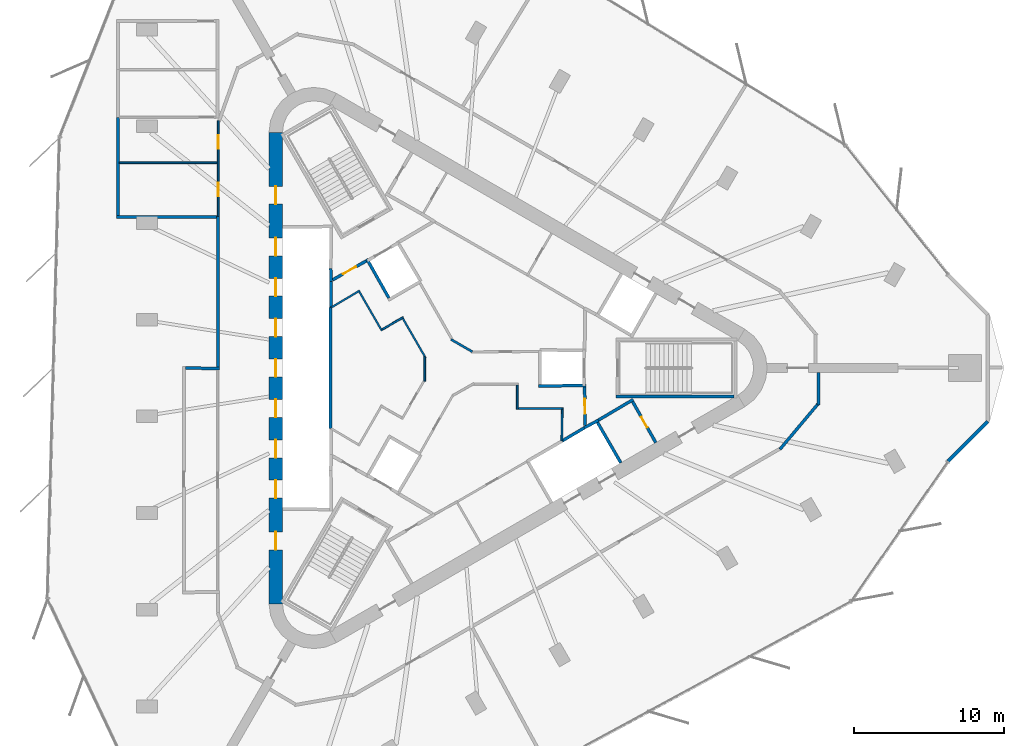
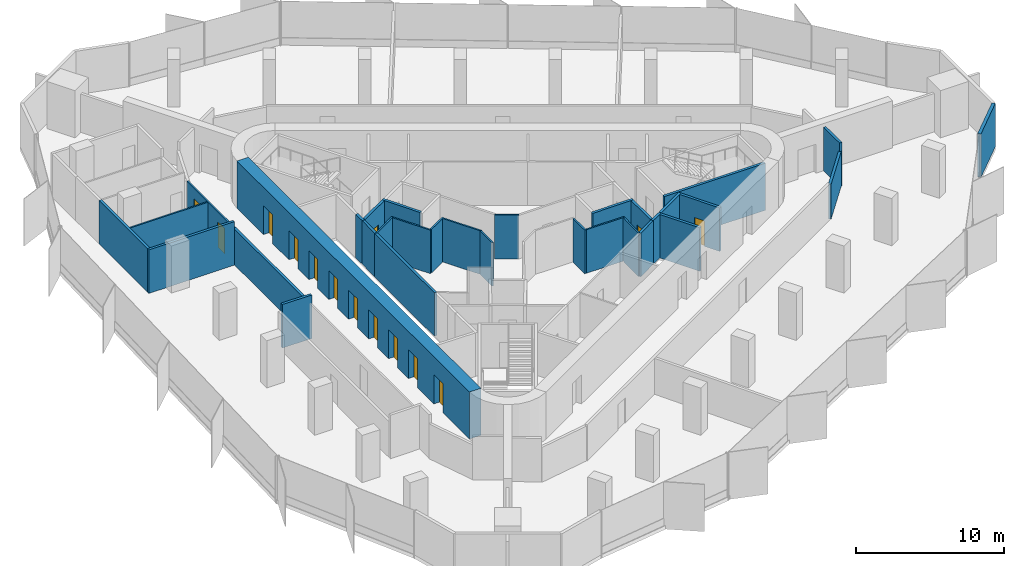
# One storey, part 9 of 13: 32 walls, 14 doors, 14 openings.
"""IFC4 building model written with IfcOpenShell, lengths in metres."""

from ifc_helpers import new_model, si_unit, direction, frame, frame_2d, origin, place, context, subcontext, project, spatial, rectangle, extrude, material, layer, layer_set, type_object, element, fill, save


model = new_model("IFC4")

# Units and contexts
model_context = context("Model", 3, precision=1e-05, world=origin(), true_north=direction((0.0, 1.0)))
body_context = subcontext(model_context, "Body", "Model", "MODEL_VIEW")
ifc_project = project(units=[si_unit("LENGTHUNIT", "METRE"), si_unit("AREAUNIT", "SQUARE_METRE"), si_unit("VOLUMEUNIT", "CUBIC_METRE"), si_unit("PLANEANGLEUNIT", "RADIAN"), si_unit("MASSUNIT", "GRAM", prefix="KILO")], contexts=[model_context])

# Site, building, storey
site_placement = place(None, origin())
site = spatial("IfcSite", under=ifc_project, at=site_placement, CompositionType="ELEMENT")
building_placement = place(site_placement, origin())
building = spatial("IfcBuilding", under=site, at=building_placement, Name="Tanit Gate Tower", CompositionType="ELEMENT")
storey_placement = place(building_placement, frame((0.0, 0.0, 322.10009765625)))
storey = spatial("IfcBuildingStorey", under=building, at=storey_placement, Name="L72", CompositionType="ELEMENT", Elevation=322.10009765625)

# Wall, openings, doors
ifc_material_1 = material(Name="Concrete C40/50", Category="concrete")
ifc_layer_1 = layer(ifc_material_1, 0.89990234375)
ifc_layer_set_1 = layer_set([ifc_layer_1], Name="CORE WALL 900 C40/50")
wall_type_1 = type_object("IfcWallType", Name="CORE WALL 900 C40/50", PredefinedType="SHEAR", material=ifc_layer_set_1)
wall_1_placement = place(storey_placement, frame((-11.64990234375, 15.76171875, 0.0), z_axis=(0.0, 0.0, 1.0), x_axis=(0.0, -1.0, 0.0)))
wall_1 = element("IfcWall", 1, at=wall_1_placement, inside=storey, type_object=wall_type_1, Name="CORE WALL", PredefinedType="SHEAR", context=body_context, shape_type="SweptSolid", body=[
    extrude(rectangle(XDim=31.5234375, YDim=0.89990234375, at=frame_2d((15.76171875, 0.0))), origin(), (0.0, 0.0, 1.0), 3.89990234375),
])
opening_1_placement = place(wall_1_placement, frame((7.061767578125, 0.0, 0.0)))
opening_1 = element("IfcOpeningElement", 2, at=opening_1_placement, cuts=wall_1, Name="Opening LDHL1-S20", PredefinedType="OPENING", context=body_context, shape_type="SweptSolid", body=[
    extrude(rectangle(XDim=1.199951171875, YDim=2.39990234375, at=frame_2d((0.60009765625, 1.199951171875))), frame((0.0, 0.4599609375, 0.0), z_axis=(0.0, -1.0, 0.0), x_axis=(1.0, 0.0, 0.0)), (0.0, 0.0, 1.0), 0.919921875),
])
opening_2_placement = place(wall_1_placement, frame((9.76171875, 0.0, 0.0)))
opening_2 = element("IfcOpeningElement", 3, at=opening_2_placement, cuts=wall_1, Name="Opening LDHL2-S20", PredefinedType="OPENING", context=body_context, shape_type="SweptSolid", body=[
    extrude(rectangle(XDim=1.199951171875, YDim=2.39990234375, at=frame_2d((0.60009765625, 1.199951171875))), frame((0.0, 0.4599609375, 0.0), z_axis=(0.0, -1.0, 0.0), x_axis=(1.0, 0.0, 0.0)), (0.0, 0.0, 1.0), 0.919921875),
])
opening_3_placement = place(wall_1_placement, frame((12.461669921875, 0.0, 0.0)))
opening_3 = element("IfcOpeningElement", 4, at=opening_3_placement, cuts=wall_1, Name="Opening LDHL3-S20", PredefinedType="OPENING", context=body_context, shape_type="SweptSolid", body=[
    extrude(rectangle(XDim=1.199951171875, YDim=2.39990234375, at=frame_2d((0.60009765625, 1.199951171875))), frame((0.0, 0.4599609375, 0.0), z_axis=(0.0, -1.0, 0.0), x_axis=(1.0, 0.0, 0.0)), (0.0, 0.0, 1.0), 0.919921875),
])
opening_4_placement = place(wall_1_placement, frame((15.16162109375, 0.0, 0.0)))
opening_4 = element("IfcOpeningElement", 5, at=opening_4_placement, cuts=wall_1, Name="Opening LDHL4-S20", PredefinedType="OPENING", context=body_context, shape_type="SweptSolid", body=[
    extrude(rectangle(XDim=1.199951171875, YDim=2.39990234375, at=frame_2d((0.60009765625, 1.199951171875))), frame((0.0, 0.4599609375, 0.0), z_axis=(0.0, -1.0, 0.0), x_axis=(1.0, 0.0, 0.0)), (0.0, 0.0, 1.0), 0.919921875),
])
opening_5_placement = place(wall_1_placement, frame((17.86181640625, 0.0, 0.0)))
opening_5 = element("IfcOpeningElement", 6, at=opening_5_placement, cuts=wall_1, Name="Opening LDHL5-S20", PredefinedType="OPENING", context=body_context, shape_type="SweptSolid", body=[
    extrude(rectangle(XDim=1.199951171875, YDim=2.39990234375, at=frame_2d((0.60009765625, 1.199951171875))), frame((0.0, 0.4599609375, 0.0), z_axis=(0.0, -1.0, 0.0), x_axis=(1.0, 0.0, 0.0)), (0.0, 0.0, 1.0), 0.919921875),
])
opening_6_placement = place(wall_1_placement, frame((20.561767578125, 0.0, 0.0)))
opening_6 = element("IfcOpeningElement", 7, at=opening_6_placement, cuts=wall_1, Name="Opening LDHL6-S20", PredefinedType="OPENING", context=body_context, shape_type="SweptSolid", body=[
    extrude(rectangle(XDim=1.199951171875, YDim=2.39990234375, at=frame_2d((0.60009765625, 1.199951171875))), frame((0.0, 0.4599609375, 0.0), z_axis=(0.0, -1.0, 0.0), x_axis=(1.0, 0.0, 0.0)), (0.0, 0.0, 1.0), 0.919921875),
])
opening_7_placement = place(wall_1_placement, frame((23.26171875, 0.0, 0.0)))
opening_7 = element("IfcOpeningElement", 8, at=opening_7_placement, cuts=wall_1, Name="Opening LDHL7-S20", PredefinedType="OPENING", context=body_context, shape_type="SweptSolid", body=[
    extrude(rectangle(XDim=1.199951171875, YDim=2.39990234375, at=frame_2d((0.60009765625, 1.199951171875))), frame((0.0, 0.4599609375, 0.0), z_axis=(0.0, -1.0, 0.0), x_axis=(1.0, 0.0, 0.0)), (0.0, 0.0, 1.0), 0.919921875),
])
opening_8_placement = place(wall_1_placement, frame((3.61181640625, 0.0, 0.0)))
opening_8 = element("IfcOpeningElement", 9, at=opening_8_placement, cuts=wall_1, Name="Opening F12-S20-FL2", PredefinedType="OPENING", context=body_context, shape_type="SweptSolid", body=[
    extrude(rectangle(XDim=1.199951171875, YDim=2.39990234375, at=frame_2d((0.60009765625, 1.199951171875))), frame((0.0, 0.4599609375, 0.0), z_axis=(0.0, -1.0, 0.0), x_axis=(1.0, 0.0, 0.0)), (0.0, 0.0, 1.0), 0.919921875),
])
opening_9_placement = place(wall_1_placement, frame((26.711669921875, 0.0, 0.0)))
opening_9 = element("IfcOpeningElement", 10, at=opening_9_placement, cuts=wall_1, Name="Opening F12-S20-S3", PredefinedType="OPENING", context=body_context, shape_type="SweptSolid", body=[
    extrude(rectangle(XDim=1.199951171875, YDim=2.39990234375, at=frame_2d((0.60009765625, 1.199951171875))), frame((0.0, 0.4599609375, 0.0), z_axis=(0.0, -1.0, 0.0), x_axis=(1.0, 0.0, 0.0)), (0.0, 0.0, 1.0), 0.919921875),
])
ifc_material_2 = material(Name="Fire-rated steel door leaf", Category="steel")
door_type_1 = type_object("IfcDoorType", Name="INT-DOOR-FIRE-LOBBY-1200", OperationType="NOTDEFINED", PredefinedType="USERDEFINED", material=ifc_material_2)
door_1_placement = place(opening_8_placement, origin())
door_1 = element("IfcDoor", 11, at=door_1_placement, inside=storey, type_object=door_type_1, Name="Door F12-S20-FL2", ObjectType="FIRE DOOR", OperationType="SINGLE_SWING_LEFT", OverallHeight=2.39990234375, OverallWidth=1.199951171875, PredefinedType="USERDEFINED", context=body_context, shape_type="SweptSolid", body=[
    extrude(rectangle(XDim=1.199951171875, YDim=2.39990234375, at=frame_2d((0.60009765625, 1.199951171875))), frame((0.0, 0.02490234375, 0.0), z_axis=(0.0, -1.0, 0.0), x_axis=(1.0, 0.0, 0.0)), (0.0, 0.0, 1.0), 0.050048828125),
])
fill(opening_8, door_1)
door_2_placement = place(opening_9_placement, origin())
door_2 = element("IfcDoor", 12, at=door_2_placement, inside=storey, type_object=door_type_1, Name="Door F12-S20-S3", ObjectType="FIRE DOOR", OperationType="SINGLE_SWING_LEFT", OverallHeight=2.39990234375, OverallWidth=1.199951171875, PredefinedType="USERDEFINED", context=body_context, shape_type="SweptSolid", body=[
    extrude(rectangle(XDim=1.199951171875, YDim=2.39990234375, at=frame_2d((0.60009765625, 1.199951171875))), frame((0.0, 0.02490234375, 0.0), z_axis=(0.0, -1.0, 0.0), x_axis=(1.0, 0.0, 0.0)), (0.0, 0.0, 1.0), 0.050048828125),
])
fill(opening_9, door_2)
ifc_material_3 = material(Name="Stainless steel sliding door leaf", Category="steel")
door_type_2 = type_object("IfcDoorType", Name="INT-DOOR-LANDING-1200", OperationType="NOTDEFINED", PredefinedType="USERDEFINED", material=ifc_material_3)
door_3_placement = place(opening_1_placement, origin())
door_3 = element("IfcDoor", 13, at=door_3_placement, inside=storey, type_object=door_type_2, Name="Door LDHL1-S20", ObjectType="LANDING DOOR", OperationType="SLIDING_TO_LEFT", OverallHeight=2.39990234375, OverallWidth=1.199951171875, PredefinedType="USERDEFINED", context=body_context, shape_type="SweptSolid", body=[
    extrude(rectangle(XDim=1.199951171875, YDim=2.39990234375, at=frame_2d((0.60009765625, 1.199951171875))), frame((0.0, 0.02490234375, 0.0), z_axis=(0.0, -1.0, 0.0), x_axis=(1.0, 0.0, 0.0)), (0.0, 0.0, 1.0), 0.050048828125),
])
fill(opening_1, door_3)
door_4_placement = place(opening_2_placement, origin())
door_4 = element("IfcDoor", 14, at=door_4_placement, inside=storey, type_object=door_type_2, Name="Door LDHL2-S20", ObjectType="LANDING DOOR", OperationType="SLIDING_TO_LEFT", OverallHeight=2.39990234375, OverallWidth=1.199951171875, PredefinedType="USERDEFINED", context=body_context, shape_type="SweptSolid", body=[
    extrude(rectangle(XDim=1.199951171875, YDim=2.39990234375, at=frame_2d((0.60009765625, 1.199951171875))), frame((0.0, 0.02490234375, 0.0), z_axis=(0.0, -1.0, 0.0), x_axis=(1.0, 0.0, 0.0)), (0.0, 0.0, 1.0), 0.050048828125),
])
fill(opening_2, door_4)
door_5_placement = place(opening_3_placement, origin())
door_5 = element("IfcDoor", 15, at=door_5_placement, inside=storey, type_object=door_type_2, Name="Door LDHL3-S20", ObjectType="LANDING DOOR", OperationType="SLIDING_TO_LEFT", OverallHeight=2.39990234375, OverallWidth=1.199951171875, PredefinedType="USERDEFINED", context=body_context, shape_type="SweptSolid", body=[
    extrude(rectangle(XDim=1.199951171875, YDim=2.39990234375, at=frame_2d((0.60009765625, 1.199951171875))), frame((0.0, 0.02490234375, 0.0), z_axis=(0.0, -1.0, 0.0), x_axis=(1.0, 0.0, 0.0)), (0.0, 0.0, 1.0), 0.050048828125),
])
fill(opening_3, door_5)
door_6_placement = place(opening_4_placement, origin())
door_6 = element("IfcDoor", 16, at=door_6_placement, inside=storey, type_object=door_type_2, Name="Door LDHL4-S20", ObjectType="LANDING DOOR", OperationType="SLIDING_TO_LEFT", OverallHeight=2.39990234375, OverallWidth=1.199951171875, PredefinedType="USERDEFINED", context=body_context, shape_type="SweptSolid", body=[
    extrude(rectangle(XDim=1.199951171875, YDim=2.39990234375, at=frame_2d((0.60009765625, 1.199951171875))), frame((0.0, 0.02490234375, 0.0), z_axis=(0.0, -1.0, 0.0), x_axis=(1.0, 0.0, 0.0)), (0.0, 0.0, 1.0), 0.050048828125),
])
fill(opening_4, door_6)
door_7_placement = place(opening_5_placement, origin())
door_7 = element("IfcDoor", 17, at=door_7_placement, inside=storey, type_object=door_type_2, Name="Door LDHL5-S20", ObjectType="LANDING DOOR", OperationType="SLIDING_TO_LEFT", OverallHeight=2.39990234375, OverallWidth=1.199951171875, PredefinedType="USERDEFINED", context=body_context, shape_type="SweptSolid", body=[
    extrude(rectangle(XDim=1.199951171875, YDim=2.39990234375, at=frame_2d((0.60009765625, 1.199951171875))), frame((0.0, 0.02490234375, 0.0), z_axis=(0.0, -1.0, 0.0), x_axis=(1.0, 0.0, 0.0)), (0.0, 0.0, 1.0), 0.050048828125),
])
fill(opening_5, door_7)
door_8_placement = place(opening_6_placement, origin())
door_8 = element("IfcDoor", 18, at=door_8_placement, inside=storey, type_object=door_type_2, Name="Door LDHL6-S20", ObjectType="LANDING DOOR", OperationType="SLIDING_TO_LEFT", OverallHeight=2.39990234375, OverallWidth=1.199951171875, PredefinedType="USERDEFINED", context=body_context, shape_type="SweptSolid", body=[
    extrude(rectangle(XDim=1.199951171875, YDim=2.39990234375, at=frame_2d((0.60009765625, 1.199951171875))), frame((0.0, 0.02490234375, 0.0), z_axis=(0.0, -1.0, 0.0), x_axis=(1.0, 0.0, 0.0)), (0.0, 0.0, 1.0), 0.050048828125),
])
fill(opening_6, door_8)
door_9_placement = place(opening_7_placement, origin())
door_9 = element("IfcDoor", 19, at=door_9_placement, inside=storey, type_object=door_type_2, Name="Door LDHL7-S20", ObjectType="LANDING DOOR", OperationType="SLIDING_TO_LEFT", OverallHeight=2.39990234375, OverallWidth=1.199951171875, PredefinedType="USERDEFINED", context=body_context, shape_type="SweptSolid", body=[
    extrude(rectangle(XDim=1.199951171875, YDim=2.39990234375, at=frame_2d((0.60009765625, 1.199951171875))), frame((0.0, 0.02490234375, 0.0), z_axis=(0.0, -1.0, 0.0), x_axis=(1.0, 0.0, 0.0)), (0.0, 0.0, 1.0), 0.050048828125),
])
fill(opening_7, door_9)

# Walls
ifc_material_4 = material(Name="Concrete C30/37 with bronze anodised aluminium cladding", Category="concrete")
ifc_layer_2 = layer(ifc_material_4, 0.239990234375)
ifc_layer_set_2 = layer_set([ifc_layer_2], Name="Facade wall bronze clad 240")
wall_type_2 = type_object("IfcWallType", Name="Facade wall bronze clad 240", PredefinedType="SOLIDWALL", material=ifc_layer_set_2)
wall_2_placement = place(storey_placement, frame((33.29638671875, -6.238037109375, 0.0), z_axis=(0.0, 0.0, 1.0), x_axis=(0.707106781187, 0.707106781187, 0.0)))
element("IfcWall", 20, at=wall_2_placement, inside=storey, type_object=wall_type_2, Name="Bronze-clad facade wall L72 E.arc1", PredefinedType="SOLIDWALL", context=body_context, shape_type="SweptSolid", body=[
    extrude(rectangle(XDim=3.75341796875, YDim=0.239990234375, at=frame_2d((1.876708984375, 0.0))), origin(), (0.0, 0.0, 1.0), 3.599853515625),
])
ifc_material_5 = material(Name="Fire-rated gypsum board partition")
ifc_layer_3 = layer(ifc_material_5, 0.199951171875)
ifc_layer_set_3 = layer_set([ifc_layer_3], Name="INT-WALL-COMPARTMENT")
wall_type_3 = type_object("IfcWallType", Name="INT-WALL-COMPARTMENT", PredefinedType="PARTITIONING", material=ifc_layer_set_3)
wall_3_placement = place(storey_placement, frame((12.244873046875, -2.10888671875, 0.0), z_axis=(0.0, 0.0, 1.0), x_axis=(-0.860414880418, -0.509594185166, 0.0)))
element("IfcWall", 21, at=wall_3_placement, inside=storey, type_object=wall_type_3, Name="Wall Compartment W057", PredefinedType="PARTITIONING", context=body_context, shape_type="SweptSolid", body=[
    extrude(rectangle(XDim=2.7001953125, YDim=0.199951171875, at=frame_2d((1.35009765625, 0.0))), origin(), (0.0, 0.0, 1.0), 3.599853515625),
])

# Wall, opening, door
wall_4_placement = place(storey_placement, frame((13.758056640625, -4.989501953125, 0.0), z_axis=(0.0, 0.0, 1.0), x_axis=(-0.491993409184, 0.87059892334, 0.0)))
wall_4 = element("IfcWall", 22, at=wall_4_placement, inside=storey, type_object=wall_type_3, Name="Wall Compartment W058", PredefinedType="PARTITIONING", context=body_context, shape_type="SweptSolid", body=[
    extrude(rectangle(XDim=3.150146484375, YDim=0.199951171875, at=frame_2d((1.5751953125, 0.0))), origin(), (0.0, 0.0, 1.0), 3.599853515625),
])
opening_10_placement = place(wall_4_placement, frame((1.175048828125, 0.0, 0.0)))
opening_10 = element("IfcOpeningElement", 23, at=opening_10_placement, cuts=wall_4, Name="Opening R08-S20-17", PredefinedType="OPENING", context=body_context, shape_type="SweptSolid", body=[
    extrude(rectangle(XDim=0.800048828125, YDim=2.10009765625, at=frame_2d((0.39990234375, 1.050048828125))), frame((0.0, 0.10986328125, 0.0), z_axis=(0.0, -1.0, 0.0), x_axis=(1.0, 0.0, 0.0)), (0.0, 0.0, 1.0), 0.219970703125),
])
ifc_material_6 = material(Name="Timber door leaf", Category="wood")
door_type_3 = type_object("IfcDoorType", Name="INT-DOOR-RISER-800", OperationType="NOTDEFINED", PredefinedType="USERDEFINED", material=ifc_material_6)
door_10_placement = place(opening_10_placement, origin())
door_10 = element("IfcDoor", 24, at=door_10_placement, inside=storey, type_object=door_type_3, Name="Door R08-S20-17", ObjectType="FIRE DOOR", OperationType="SINGLE_SWING_LEFT", OverallHeight=2.10009765625, OverallWidth=0.800048828125, PredefinedType="USERDEFINED", context=body_context, shape_type="SweptSolid", body=[
    extrude(rectangle(XDim=0.800048828125, YDim=2.10009765625, at=frame_2d((0.39990234375, 1.050048828125))), frame((0.0, 0.02490234375, 0.0), z_axis=(0.0, -1.0, 0.0), x_axis=(1.0, 0.0, 0.0)), (0.0, 0.0, 1.0), 0.050048828125),
])
fill(opening_10, door_10)

wall_5_placement = place(storey_placement, frame((9.02880859375, -3.850830078125, 0.0), z_axis=(0.0, 0.0, 1.0), x_axis=(-0.010783593937, 0.99994185536, 0.0)))
wall_5 = element("IfcWall", 25, at=wall_5_placement, inside=storey, type_object=wall_type_3, Name="Wall Compartment W060", PredefinedType="PARTITIONING", context=body_context, shape_type="SweptSolid", body=[
    extrude(rectangle(XDim=2.5810546875, YDim=0.199951171875, at=frame_2d((1.29052734375, 0.0))), origin(), (0.0, 0.0, 1.0), 3.599853515625),
])
opening_11_placement = place(wall_5_placement, frame((0.79052734375, 0.0, 0.0)))
opening_11 = element("IfcOpeningElement", 26, at=opening_11_placement, cuts=wall_5, Name="Opening F10-S20-02", PredefinedType="OPENING", context=body_context, shape_type="SweptSolid", body=[
    extrude(rectangle(XDim=1.0, YDim=2.10009765625, at=frame_2d((0.5, 1.050048828125))), frame((0.0, 0.10986328125, 0.0), z_axis=(0.0, -1.0, 0.0), x_axis=(1.0, 0.0, 0.0)), (0.0, 0.0, 1.0), 0.219970703125),
])
ifc_material_7 = material(Name="Fire-rated steel door leaf", Category="steel")
door_type_4 = type_object("IfcDoorType", Name="INT-DOOR-FIRE-1000", OperationType="NOTDEFINED", PredefinedType="USERDEFINED", material=ifc_material_7)
door_11_placement = place(opening_11_placement, origin())
door_11 = element("IfcDoor", 27, at=door_11_placement, inside=storey, type_object=door_type_4, Name="Door F10-S20-02", ObjectType="FIRE DOOR", OperationType="SINGLE_SWING_RIGHT", OverallHeight=2.10009765625, OverallWidth=1.0, PredefinedType="USERDEFINED", context=body_context, shape_type="SweptSolid", body=[
    extrude(rectangle(XDim=1.0, YDim=2.10009765625, at=frame_2d((0.5, 1.050048828125))), frame((0.0, 0.02490234375, 0.0), z_axis=(0.0, -1.0, 0.0), x_axis=(1.0, 0.0, 0.0)), (0.0, 0.0, 1.0), 0.050048828125),
])
fill(opening_11, door_11)

wall_6_placement = place(storey_placement, frame((-5.600341796875, 7.16015625, 0.0), z_axis=(0.0, 0.0, 1.0), x_axis=(-0.871363259478, -0.490638431059, 0.0)))
wall_6 = element("IfcWall", 28, at=wall_6_placement, inside=storey, type_object=wall_type_3, Name="Wall Compartment W062", PredefinedType="PARTITIONING", context=body_context, shape_type="SweptSolid", body=[
    extrude(rectangle(XDim=2.5810546875, YDim=0.199951171875, at=frame_2d((1.29052734375, 0.0))), origin(), (0.0, 0.0, 1.0), 3.599853515625),
])
opening_12_placement = place(wall_6_placement, frame((0.79052734375, 0.0, 0.0)))
opening_12 = element("IfcOpeningElement", 29, at=opening_12_placement, cuts=wall_6, Name="Opening F10-S20-05", PredefinedType="OPENING", context=body_context, shape_type="SweptSolid", body=[
    extrude(rectangle(XDim=1.0, YDim=2.10009765625, at=frame_2d((0.5, 1.050048828125))), frame((0.0, 0.10986328125, 0.0), z_axis=(0.0, -1.0, 0.0), x_axis=(1.0, 0.0, 0.0)), (0.0, 0.0, 1.0), 0.219970703125),
])
door_12_placement = place(opening_12_placement, origin())
door_12 = element("IfcDoor", 30, at=door_12_placement, inside=storey, type_object=door_type_4, Name="Door F10-S20-05", ObjectType="FIRE DOOR", OperationType="SINGLE_SWING_LEFT", OverallHeight=2.10009765625, OverallWidth=1.0, PredefinedType="USERDEFINED", context=body_context, shape_type="SweptSolid", body=[
    extrude(rectangle(XDim=1.0, YDim=2.10009765625, at=frame_2d((0.5, 1.050048828125))), frame((0.0, 0.02490234375, 0.0), z_axis=(0.0, -1.0, 0.0), x_axis=(1.0, 0.0, 0.0)), (0.0, 0.0, 1.0), 0.050048828125),
])
fill(opening_12, door_12)

# Walls
wall_7_placement = place(storey_placement, frame((-15.39990234375, -0.03125, 0.0), z_axis=(0.0, 0.0, 1.0), x_axis=(-0.999914782125, 0.013054826261, 0.0)))
element("IfcWall", 31, at=wall_7_placement, inside=storey, type_object=wall_type_3, Name="Wall Compartment W086", PredefinedType="PARTITIONING", context=body_context, shape_type="SweptSolid", body=[
    extrude(rectangle(XDim=2.30029296875, YDim=0.199951171875, at=frame_2d((1.150146484375, 0.0))), origin(), (0.0, 0.0, 1.0), 3.599853515625),
])
wall_8_placement = place(storey_placement, frame((-15.5, 10.199951171875, 0.0), z_axis=(0.0, 0.0, 1.0), x_axis=(0.0, -1.0, 0.0)))
element("IfcWall", 32, at=wall_8_placement, inside=storey, type_object=wall_type_3, Name="Wall Compartment W090", PredefinedType="PARTITIONING", context=body_context, shape_type="SweptSolid", body=[
    extrude(rectangle(XDim=10.1298828125, YDim=0.199951171875, at=frame_2d((5.06494140625, 0.0))), origin(), (0.0, 0.0, 1.0), 2.969970703125),
])
wall_9_placement = place(storey_placement, frame((24.647705078125, -2.46240234375, 0.0), z_axis=(0.0, 0.0, 1.0), x_axis=(-0.012757232068, 0.999918623204, 0.0)))
element("IfcWall", 33, at=wall_9_placement, inside=storey, type_object=wall_type_3, Name="Wall Compartment W102", PredefinedType="PARTITIONING", context=body_context, shape_type="SweptSolid", body=[
    extrude(rectangle(XDim=2.16259765625, YDim=0.199951171875, at=frame_2d((1.081298828125, 0.0))), origin(), (0.0, 0.0, 1.0), 3.599853515625),
])
wall_10_placement = place(storey_placement, frame((22.05419921875, -5.435302734375, 0.0), z_axis=(0.0, 0.0, 1.0), x_axis=(0.642790979996, 0.766041615081, 0.0)))
element("IfcWall", 34, at=wall_10_placement, inside=storey, type_object=wall_type_3, Name="Wall Compartment W103", PredefinedType="PARTITIONING", context=body_context, shape_type="SweptSolid", body=[
    extrude(rectangle(XDim=3.9833984375, YDim=0.199951171875, at=frame_2d((1.99169921875, 0.0))), origin(), (0.0, 0.0, 1.0), 2.8798828125),
])
wall_11_placement = place(storey_placement, frame((-22.199951171875, 16.76171875, 0.0), z_axis=(0.0, 0.0, 1.0), x_axis=(0.0, -1.0, 0.0)))
element("IfcWall", 35, at=wall_11_placement, inside=storey, type_object=wall_type_3, Name="Wall Compartment W114", PredefinedType="PARTITIONING", context=body_context, shape_type="SweptSolid", body=[
    extrude(rectangle(XDim=6.561767578125, YDim=0.199951171875, at=frame_2d((3.28076171875, 0.0))), origin(), (0.0, 0.0, 1.0), 3.599853515625),
])
wall_12_placement = place(storey_placement, frame((-15.60009765625, 10.10009765625, 0.0), z_axis=(0.0, 0.0, 1.0), x_axis=(-1.0, 0.0, 0.0)))
element("IfcWall", 36, at=wall_12_placement, inside=storey, type_object=wall_type_3, Name="Wall Compartment W113", PredefinedType="PARTITIONING", context=body_context, shape_type="SweptSolid", body=[
    extrude(rectangle(XDim=6.699951171875, YDim=0.199951171875, at=frame_2d((3.35009765625, 0.0))), origin(), (0.0, 0.0, 1.0), 3.599853515625),
])
ifc_material_8 = material(Name="Gypsum board partition")
ifc_layer_4 = layer(ifc_material_8, 0.1201171875)
ifc_layer_set_4 = layer_set([ifc_layer_4], Name="INT-WALL-PARTITION")
wall_type_4 = type_object("IfcWallType", Name="INT-WALL-PARTITION", PredefinedType="PARTITIONING", material=ifc_layer_set_4)
wall_13_placement = place(storey_placement, frame((4.5, -2.760009765625, 0.0), z_axis=(0.0, 0.0, 1.0), x_axis=(0.0, 1.0, 0.0)))
element("IfcWall", 37, at=wall_13_placement, inside=storey, type_object=wall_type_4, Name="Wall Partition W071", PredefinedType="PARTITIONING", context=body_context, shape_type="SweptSolid", body=[
    extrude(rectangle(XDim=1.625, YDim=0.1201171875, at=frame_2d((0.8125, 0.0))), origin(), (0.0, 0.0, 1.0), 3.599853515625),
])
wall_14_placement = place(storey_placement, frame((7.56005859375, -2.699951171875, 0.0), z_axis=(0.0, 0.0, 1.0), x_axis=(-1.0, 0.0, 0.0)))
element("IfcWall", 38, at=wall_14_placement, inside=storey, type_object=wall_type_4, Name="Wall Partition W072", PredefinedType="PARTITIONING", context=body_context, shape_type="SweptSolid", body=[
    extrude(rectangle(XDim=3.0, YDim=0.1201171875, at=frame_2d((1.5, 0.0))), origin(), (0.0, 0.0, 1.0), 3.599853515625),
])
wall_15_placement = place(storey_placement, frame((7.474609375, -4.864501953125, 0.0), z_axis=(0.0, 0.0, 1.0), x_axis=(0.011716133148, 0.999931363757, 0.0)))
element("IfcWall", 39, at=wall_15_placement, inside=storey, type_object=wall_type_4, Name="Wall Partition W073", PredefinedType="PARTITIONING", context=body_context, shape_type="SweptSolid", body=[
    extrude(rectangle(XDim=2.104736328125, YDim=0.1201171875, at=frame_2d((1.05224609375, 0.0))), origin(), (0.0, 0.0, 1.0), 3.599853515625),
])
wall_16_placement = place(storey_placement, frame((-6.03662109375, 5.17578125, 0.0), z_axis=(0.0, 0.0, 1.0), x_axis=(-0.860106072674, -0.510115225953, 0.0)))
element("IfcWall", 40, at=wall_16_placement, inside=storey, type_object=wall_type_4, Name="Wall Partition W074", PredefinedType="PARTITIONING", context=body_context, shape_type="SweptSolid", body=[
    extrude(rectangle(XDim=2.224609375, YDim=0.1201171875, at=frame_2d((1.1123046875, 0.0))), origin(), (0.0, 0.0, 1.0), 3.599853515625),
])
wall_17_placement = place(storey_placement, frame((-4.558349609375, 2.4951171875, 0.0), z_axis=(0.0, 0.0, 1.0), x_axis=(-0.499990139034, 0.866031096941, 0.0)))
element("IfcWall", 41, at=wall_17_placement, inside=storey, type_object=wall_type_4, Name="Wall Partition W075", PredefinedType="PARTITIONING", context=body_context, shape_type="SweptSolid", body=[
    extrude(rectangle(XDim=3.0, YDim=0.1201171875, at=frame_2d((1.5, 0.0))), origin(), (0.0, 0.0, 1.0), 3.599853515625),
])
wall_18_placement = place(storey_placement, frame((-3.12890625, 3.3896484375, 0.0), z_axis=(0.0, 0.0, 1.0), x_axis=(-0.866053003207, -0.499952193351, 0.0)))
element("IfcWall", 42, at=wall_18_placement, inside=storey, type_object=wall_type_4, Name="Wall Partition W076", PredefinedType="PARTITIONING", context=body_context, shape_type="SweptSolid", body=[
    extrude(rectangle(XDim=1.625244140625, YDim=0.1201171875, at=frame_2d((0.8125, 0.0))), origin(), (0.0, 0.0, 1.0), 3.599853515625),
])
wall_19_placement = place(storey_placement, frame((-1.63671875, 0.68505859375, 0.0), z_axis=(0.0, 0.0, 1.0), x_axis=(-0.500006252586, 0.866021793822, 0.0)))
element("IfcWall", 43, at=wall_19_placement, inside=storey, type_object=wall_type_4, Name="Wall Partition W077", PredefinedType="PARTITIONING", context=body_context, shape_type="SweptSolid", body=[
    extrude(rectangle(XDim=3.0283203125, YDim=0.1201171875, at=frame_2d((1.51416015625, 0.0))), origin(), (0.0, 0.0, 1.0), 3.599853515625),
])
wall_20_placement = place(storey_placement, frame((-1.688720703125, -0.87890625, 0.0), z_axis=(0.0, 0.0, 1.0), x_axis=(0.0, 1.0, 0.0)))
element("IfcWall", 44, at=wall_20_placement, inside=storey, type_object=wall_type_4, Name="Wall Partition W078", PredefinedType="PARTITIONING", context=body_context, shape_type="SweptSolid", body=[
    extrude(rectangle(XDim=1.63525390625, YDim=0.1201171875, at=frame_2d((0.817626953125, 0.0))), origin(), (0.0, 0.0, 1.0), 3.599853515625),
])

# Wall, openings, doors
wall_21_placement = place(storey_placement, frame((-15.5, 16.53759765625, 0.0), z_axis=(0.0, 0.0, 1.0), x_axis=(0.0, -1.0, 0.0)))
wall_21 = element("IfcWall", 45, at=wall_21_placement, inside=storey, type_object=wall_type_4, Name="Wall Partition W094", PredefinedType="PARTITIONING", context=body_context, shape_type="SweptSolid", body=[
    extrude(rectangle(XDim=6.40771484375, YDim=0.1201171875, at=frame_2d((3.203857421875, 0.0))), origin(), (0.0, 0.0, 1.0), 2.969970703125),
])
opening_13_placement = place(wall_21_placement, frame((4.1455078125, 0.0, 0.0)))
opening_13 = element("IfcOpeningElement", 46, at=opening_13_placement, cuts=wall_21, Name="Opening D09-S20-19", PredefinedType="OPENING", context=body_context, shape_type="SweptSolid", body=[
    extrude(rectangle(XDim=0.89990234375, YDim=2.10009765625, at=frame_2d((0.449951171875, 1.050048828125))), frame((0.0, 0.070068359375, 0.0), z_axis=(0.0, -1.0, 0.0), x_axis=(1.0, 0.0, 0.0)), (0.0, 0.0, 1.0), 0.14013671875),
])
opening_14_placement = place(wall_21_placement, frame((0.990234375, 0.0, 0.0)))
opening_14 = element("IfcOpeningElement", 47, at=opening_14_placement, cuts=wall_21, Name="Opening D09-S20-20", PredefinedType="OPENING", context=body_context, shape_type="SweptSolid", body=[
    extrude(rectangle(XDim=0.89990234375, YDim=2.10009765625, at=frame_2d((0.449951171875, 1.050048828125))), frame((0.0, 0.070068359375, 0.0), z_axis=(0.0, -1.0, 0.0), x_axis=(1.0, 0.0, 0.0)), (0.0, 0.0, 1.0), 0.14013671875),
])
ifc_material_9 = material(Name="Timber door leaf", Category="wood")
door_type_5 = type_object("IfcDoorType", Name="INT-DOOR-SINGLE-900", OperationType="NOTDEFINED", PredefinedType="NOTDEFINED", material=ifc_material_9)
door_13_placement = place(opening_13_placement, origin())
door_13 = element("IfcDoor", 48, at=door_13_placement, inside=storey, type_object=door_type_5, Name="Door D09-S20-19", OperationType="SINGLE_SWING_RIGHT", OverallHeight=2.10009765625, OverallWidth=0.89990234375, PredefinedType="NOTDEFINED", context=body_context, shape_type="SweptSolid", body=[
    extrude(rectangle(XDim=0.89990234375, YDim=2.10009765625, at=frame_2d((0.449951171875, 1.050048828125))), frame((0.0, 0.02490234375, 0.0), z_axis=(0.0, -1.0, 0.0), x_axis=(1.0, 0.0, 0.0)), (0.0, 0.0, 1.0), 0.050048828125),
])
fill(opening_13, door_13)
door_14_placement = place(opening_14_placement, origin())
door_14 = element("IfcDoor", 49, at=door_14_placement, inside=storey, type_object=door_type_5, Name="Door D09-S20-20", OperationType="SINGLE_SWING_LEFT", OverallHeight=2.10009765625, OverallWidth=0.89990234375, PredefinedType="NOTDEFINED", context=body_context, shape_type="SweptSolid", body=[
    extrude(rectangle(XDim=0.89990234375, YDim=2.10009765625, at=frame_2d((0.449951171875, 1.050048828125))), frame((0.0, 0.02490234375, 0.0), z_axis=(0.0, -1.0, 0.0), x_axis=(1.0, 0.0, 0.0)), (0.0, 0.0, 1.0), 0.050048828125),
])
fill(opening_14, door_14)

# Walls
wall_22_placement = place(storey_placement, frame((-15.530029296875, 13.72412109375, 0.0), z_axis=(0.0, 0.0, 1.0), x_axis=(-1.0, 0.0, 0.0)))
element("IfcWall", 50, at=wall_22_placement, inside=storey, type_object=wall_type_4, Name="Wall Partition W125", PredefinedType="PARTITIONING", context=body_context, shape_type="SweptSolid", body=[
    extrude(rectangle(XDim=6.570068359375, YDim=0.1201171875, at=frame_2d((3.28515625, 0.0))), origin(), (0.0, 0.0, 1.0), 2.969970703125),
])
ifc_material_10 = material(Name="Fire-rated gypsum board partition")
ifc_layer_5 = layer(ifc_material_10, 0.14990234375)
ifc_layer_set_5 = layer_set([ifc_layer_5], Name="INT-WALL-RISER")
wall_type_5 = type_object("IfcWallType", Name="INT-WALL-RISER", PredefinedType="PLUMBINGWALL", material=ifc_layer_set_5)
wall_23_placement = place(storey_placement, frame((0.0625, 1.9140625, 0.0), z_axis=(0.0, 0.0, 1.0), x_axis=(0.866018462269, -0.500012022864, 0.0)))
element("IfcWall", 51, at=wall_23_placement, inside=storey, type_object=wall_type_5, Name="Wall Riser W066", PredefinedType="PLUMBINGWALL", context=body_context, shape_type="SweptSolid", body=[
    extrude(rectangle(XDim=1.654296875, YDim=0.14990234375, at=frame_2d((0.8271484375, 0.0))), origin(), (0.0, 0.0, 1.0), 3.599853515625),
])
ifc_material_11 = material(Name="Gypsum shaft wall system")
ifc_layer_6 = layer(ifc_material_11, 0.199951171875)
ifc_layer_set_6 = layer_set([ifc_layer_6], Name="INT-WALL-SHAFT")
wall_type_6 = type_object("IfcWallType", Name="INT-WALL-SHAFT", PredefinedType="PLUMBINGWALL", material=ifc_layer_set_6)
wall_24_placement = place(storey_placement, frame((-7.97705078125, 6.650146484375, 0.0), z_axis=(0.0, 0.0, 1.0), x_axis=(0.030861509705, -0.999523670164, 0.0)))
element("IfcWall", 52, at=wall_24_placement, inside=storey, type_object=wall_type_6, Name="Wall Shaft W003", PredefinedType="PLUMBINGWALL", context=body_context, shape_type="SweptSolid", body=[
    extrude(rectangle(XDim=0.878173828125, YDim=0.199951171875, at=frame_2d((0.43896484375, 0.0))), origin(), (0.0, 0.0, 1.0), 3.599853515625),
])
wall_25_placement = place(storey_placement, frame((-7.94921875, 5.894775390625, 0.0), z_axis=(0.0, 0.0, 1.0), x_axis=(-0.012042535896, -0.999927486035, 0.0)))
element("IfcWall", 53, at=wall_25_placement, inside=storey, type_object=wall_type_6, Name="Wall Shaft W004", PredefinedType="PLUMBINGWALL", context=body_context, shape_type="SweptSolid", body=[
    extrude(rectangle(XDim=1.844970703125, YDim=0.199951171875, at=frame_2d((0.92236328125, 0.0))), origin(), (0.0, 0.0, 1.0), 3.599853515625),
])
wall_26_placement = place(storey_placement, frame((-7.97998046875, 4.050048828125, 0.0), z_axis=(0.0, 0.0, 1.0), x_axis=(0.0, -1.0, 0.0)))
element("IfcWall", 54, at=wall_26_placement, inside=storey, type_object=wall_type_6, Name="Wall Shaft W005", PredefinedType="PLUMBINGWALL", context=body_context, shape_type="SweptSolid", body=[
    extrude(rectangle(XDim=8.10009765625, YDim=0.199951171875, at=frame_2d((4.050048828125, 0.0))), origin(), (0.0, 0.0, 1.0), 3.599853515625),
])
wall_27_placement = place(storey_placement, frame((9.794677734375, -3.52490234375, 0.0), z_axis=(0.0, 0.0, 1.0), x_axis=(0.499984717929, -0.866034226713, 0.0)))
element("IfcWall", 55, at=wall_27_placement, inside=storey, type_object=wall_type_6, Name="Wall Shaft W017", PredefinedType="PLUMBINGWALL", context=body_context, shape_type="SweptSolid", body=[
    extrude(rectangle(XDim=3.25, YDim=0.199951171875, at=frame_2d((1.625, 0.0))), origin(), (0.0, 0.0, 1.0), 3.599853515625),
])
wall_28_placement = place(storey_placement, frame((8.97412109375, -3.998779296875, 0.0), z_axis=(0.0, 0.0, 1.0), x_axis=(0.880907015104, 0.473289373154, 0.0)))
element("IfcWall", 56, at=wall_28_placement, inside=storey, type_object=wall_type_6, Name="Wall Shaft W018", PredefinedType="PLUMBINGWALL", context=body_context, shape_type="SweptSolid", body=[
    extrude(rectangle(XDim=1.078125, YDim=0.199951171875, at=frame_2d((0.5390625, 0.0))), origin(), (0.0, 0.0, 1.0), 3.599853515625),
])
wall_29_placement = place(storey_placement, frame((7.4931640625, -4.87841796875, 0.0), z_axis=(0.0, 0.0, 1.0), x_axis=(0.859981807212, 0.510324691999, 0.0)))
element("IfcWall", 57, at=wall_29_placement, inside=storey, type_object=wall_type_6, Name="Wall Shaft W019", PredefinedType="PLUMBINGWALL", context=body_context, shape_type="SweptSolid", body=[
    extrude(rectangle(XDim=1.8447265625, YDim=0.199951171875, at=frame_2d((0.92236328125, 0.0))), origin(), (0.0, 0.0, 1.0), 3.599853515625),
])
wall_30_placement = place(storey_placement, frame((5.89990234375, -1.200927734375, 0.0), z_axis=(0.0, 0.0, 1.0), x_axis=(0.999950064753, 0.009993397809, 0.0)))
element("IfcWall", 58, at=wall_30_placement, inside=storey, type_object=wall_type_6, Name="Wall Shaft W026", PredefinedType="PLUMBINGWALL", context=body_context, shape_type="SweptSolid", body=[
    extrude(rectangle(XDim=3.200439453125, YDim=0.199951171875, at=frame_2d((1.60009765625, 0.0))), origin(), (0.0, 0.0, 1.0), 3.599853515625),
])
wall_31_placement = place(storey_placement, frame((-5.5625, 7.29638671875, 0.0), z_axis=(0.0, 0.0, 1.0), x_axis=(0.49134651263, -0.870964180966, 0.0)))
element("IfcWall", 59, at=wall_31_placement, inside=storey, type_object=wall_type_6, Name="Wall Shaft W035", PredefinedType="PLUMBINGWALL", context=body_context, shape_type="SweptSolid", body=[
    extrude(rectangle(XDim=3.000244140625, YDim=0.199951171875, at=frame_2d((1.5, 0.0))), origin(), (0.0, 0.0, 1.0), 3.599853515625),
])
ifc_material_12 = material(Name="Concrete C40/50", Category="concrete")
ifc_layer_7 = layer(ifc_material_12, 0.199951171875)
ifc_layer_set_7 = layer_set([ifc_layer_7], Name="INT-WALL-STAIR")
wall_type_7 = type_object("IfcWallType", Name="INT-WALL-STAIR", PredefinedType="SHEAR", material=ifc_layer_set_7)
wall_32_placement = place(storey_placement, frame((11.10009765625, -1.89990234375, -0.300048828125), z_axis=(0.0, 0.0, 1.0), x_axis=(1.0, 0.0, 0.0)))
element("IfcWall", 60, at=wall_32_placement, inside=storey, type_object=wall_type_7, Name="Wall Stair W022", PredefinedType="SHEAR", context=body_context, shape_type="SweptSolid", body=[
    extrude(rectangle(XDim=7.89990234375, YDim=0.199951171875, at=frame_2d((3.949951171875, 0.0))), origin(), (0.0, 0.0, 1.0), 3.89990234375),
])

save(model, "model.ifc")
